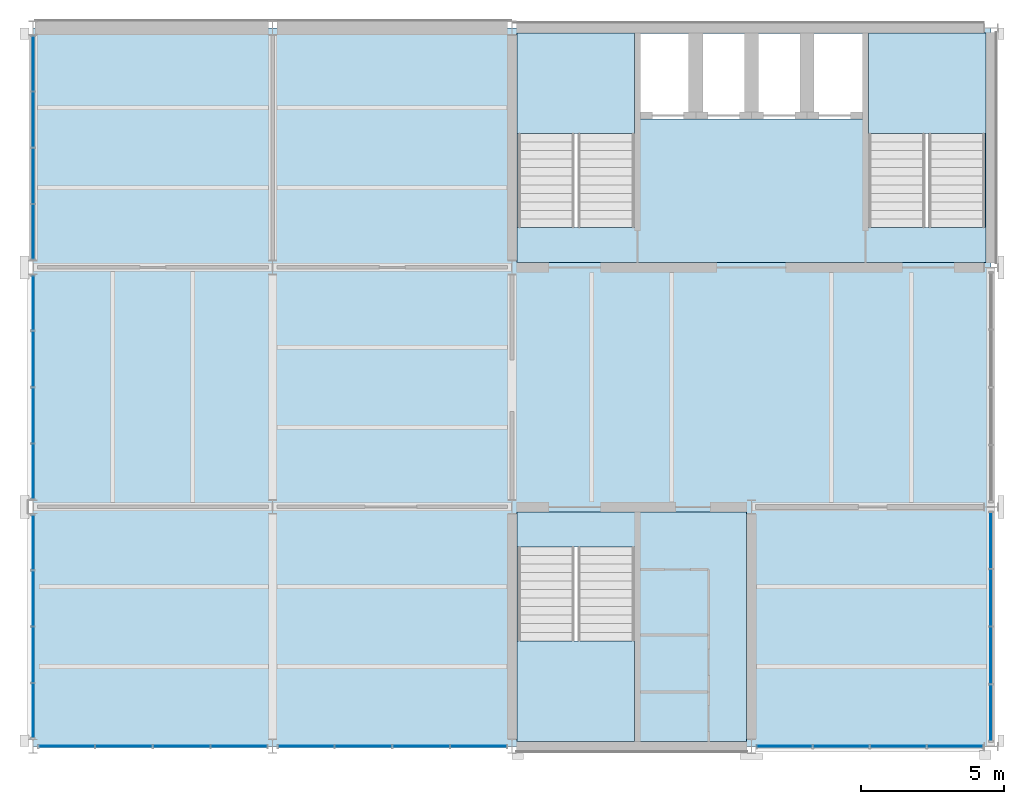
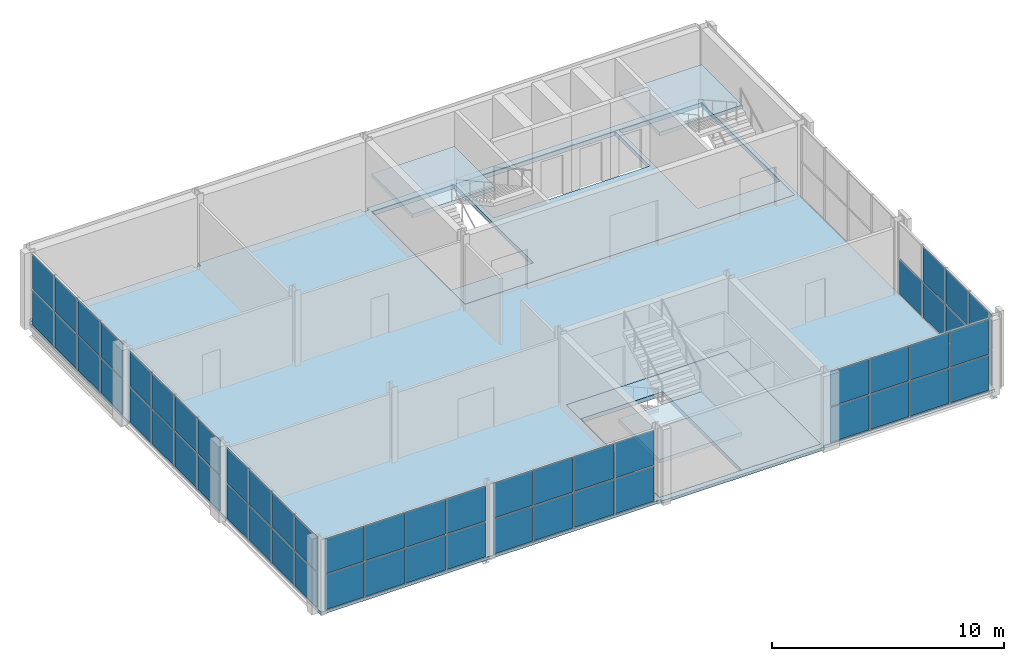
# One storey, part 7 of 12: 55 plates, 6 slabs, 10 elements without a shape of their own.
"""IFC4 building model written with IfcOpenShell, lengths in metres."""

from ifc_helpers import new_model, si_unit, direction, frame, origin, origin_2d, place, context, subcontext, project, spatial, polyline, rectangle, outline, extrude, material, layer, layer_set, type_object, element, aggregate, save


model = new_model("IFC4")

# Units and contexts
model_context = context("Model", 3, precision=1e-05, world=origin(), true_north=direction((0.0, 1.0)))
body_context = subcontext(model_context, "Body", "Model", "MODEL_VIEW")
ifc_project = project(units=[si_unit("LENGTHUNIT", "METRE"), si_unit("AREAUNIT", "SQUARE_METRE"), si_unit("VOLUMEUNIT", "CUBIC_METRE"), si_unit("PLANEANGLEUNIT", "RADIAN"), si_unit("MASSUNIT", "GRAM", prefix="KILO")], contexts=[model_context])

# Site, building, storey
site_placement = place(None, origin())
site = spatial("IfcSite", under=ifc_project, at=site_placement, CompositionType="ELEMENT")
building_placement = place(site_placement, origin())
building = spatial("IfcBuilding", under=site, at=building_placement, Name="Galleria Vessillo Department Store", CompositionType="ELEMENT")
storey_placement = place(building_placement, frame((0.0, 0.0, 35.60009765625)))
storey = spatial("IfcBuildingStorey", under=building, at=storey_placement, Name="L07", CompositionType="ELEMENT", Elevation=35.60009765625)

# Slab
ifc_material_1 = material(Name="Concrete C32/40 composite on steel deck", Category="concrete")
ifc_layer_1 = layer(ifc_material_1, 0.14990234375)
ifc_layer_set_1 = layer_set([ifc_layer_1], Name="Concrete C32/40 composite on steel deck")
slab_type_1 = type_object("IfcSlabType", Name="Composite floor slab 150 mm", PredefinedType="FLOOR", material=ifc_layer_set_1)
slab_1_placement = place(storey_placement, frame((0.0, 0.0, -0.14990234375)))
element("IfcSlab", 1, at=slab_1_placement, inside=storey, type_object=slab_type_1, Name="S-SLAB-L07-FLOOR", PredefinedType="FLOOR", context=body_context, shape_type="SweptSolid", body=[
    extrude(outline(polyline([(100.95068359375, 37.800048828125), (84.0, 37.800048828125), (84.0, 63.0), (84.150634765625, 63.0), (84.150634765625, 63.22509765625), (92.249267578125, 63.22509765625), (92.249267578125, 63.0), (92.550537109375, 63.0), (92.550537109375, 63.22509765625), (100.6494140625, 63.22509765625), (100.6494140625, 63.0), (100.95068359375, 63.0), (100.95068359375, 63.17431640625), (117.349609375, 63.17431640625), (117.349609375, 63.0), (117.60009765625, 63.0), (117.60009765625, 37.800048828125), (109.04931640625, 37.800048828125), (109.04931640625, 37.699951171875), (100.95068359375, 37.699951171875), (100.95068359375, 37.800048828125)]), holes=[polyline([(109.02490234375, 37.97509765625), (109.02490234375, 46.02490234375), (100.97509765625, 46.02490234375), (100.97509765625, 37.97509765625), (109.02490234375, 37.97509765625)]), polyline([(117.425048828125, 54.775146484375), (117.425048828125, 62.824951171875), (100.97509765625, 62.824951171875), (100.97509765625, 54.775146484375), (117.425048828125, 54.775146484375)])]), origin(), (0.0, 0.0, 1.0), 0.14990234375),
])

# Curtain wall, plates
ifc_material_2 = material(Name="Aluminium and glass curtain wall", Category="aluminium")
ifc_layer_2 = layer(ifc_material_2, 0.159912109375)
ifc_layer_set_2 = layer_set([ifc_layer_2], Name="Aluminium and glass curtain wall")
curtain_wall_type = type_object("IfcCurtainWallType", Name="Tower curtain wall CW4 2100 module", PredefinedType="NOTDEFINED", material=ifc_layer_set_2)
curtain_wall_1_placement = place(storey_placement, origin())
curtain_wall_1 = element("IfcCurtainWall", 2, at=curtain_wall_1_placement, inside=storey, type_object=curtain_wall_type, Name="Tower curtain wall CW4 2100 module TW-L07-01", PredefinedType="NOTDEFINED")
ifc_material_3 = material(Name="Glass laminated 44.2 low-e", Category="glass")
ifc_layer_3 = layer(ifc_material_3, 0.028076171875)
ifc_layer_set_3 = layer_set([ifc_layer_3], Name="Glass laminated 44.2 low-e")
plate_type_1 = type_object("IfcPlateType", Name="Laminated glass panel 28 mm", PredefinedType="CURTAIN_PANEL", material=ifc_layer_set_3)
plate_1_placement = place(storey_placement, frame((84.0, 39.052490234375, 1.955078125), z_axis=(0.0, 0.0, 1.0), x_axis=(0.0, 1.0, 0.0)))
plate_1 = element("IfcPlate", 3, at=plate_1_placement, type_object=plate_type_1, Name="CW4 panel 1.2", PredefinedType="CURTAIN_PANEL", context=body_context, shape_type="SweptSolid", body=[
    extrude(rectangle(XDim=1.885009765625, YDim=0.028076171875, at=origin_2d()), origin(), (0.0, 0.0, 1.0), 1.835205078125),
])
plate_2_placement = place(storey_placement, frame((84.0, 41.012451171875, 1.955078125), z_axis=(0.0, 0.0, 1.0), x_axis=(0.0, 1.0, 0.0)))
plate_2 = element("IfcPlate", 4, at=plate_2_placement, type_object=plate_type_1, Name="CW4 panel 2.2", PredefinedType="CURTAIN_PANEL", context=body_context, shape_type="SweptSolid", body=[
    extrude(rectangle(XDim=1.9150390625, YDim=0.028076171875, at=origin_2d()), origin(), (0.0, 0.0, 1.0), 1.835205078125),
])
plate_3_placement = place(storey_placement, frame((84.0, 42.987548828125, 1.955078125), z_axis=(0.0, 0.0, 1.0), x_axis=(0.0, 1.0, 0.0)))
plate_3 = element("IfcPlate", 5, at=plate_3_placement, type_object=plate_type_1, Name="CW4 panel 3.2", PredefinedType="CURTAIN_PANEL", context=body_context, shape_type="SweptSolid", body=[
    extrude(rectangle(XDim=1.9150390625, YDim=0.028076171875, at=origin_2d()), origin(), (0.0, 0.0, 1.0), 1.835205078125),
])
plate_4_placement = place(storey_placement, frame((84.0, 44.947509765625, 1.955078125), z_axis=(0.0, 0.0, 1.0), x_axis=(0.0, 1.0, 0.0)))
plate_4 = element("IfcPlate", 6, at=plate_4_placement, type_object=plate_type_1, Name="CW4 panel 4.2", PredefinedType="CURTAIN_PANEL", context=body_context, shape_type="SweptSolid", body=[
    extrude(rectangle(XDim=1.885009765625, YDim=0.028076171875, at=origin_2d()), origin(), (0.0, 0.0, 1.0), 1.835205078125),
])

curtain_wall_2_placement = place(storey_placement, origin())
curtain_wall_2 = element("IfcCurtainWall", 7, at=curtain_wall_2_placement, inside=storey, type_object=curtain_wall_type, Name="Tower curtain wall CW4 2100 module TW-L07-02", PredefinedType="NOTDEFINED")
plate_5_placement = place(storey_placement, frame((84.0, 47.452392578125, 1.955078125), z_axis=(0.0, 0.0, 1.0), x_axis=(0.0, 1.0, 0.0)))
plate_5 = element("IfcPlate", 8, at=plate_5_placement, type_object=plate_type_1, Name="CW4 panel 1.2", PredefinedType="CURTAIN_PANEL", context=body_context, shape_type="SweptSolid", body=[
    extrude(rectangle(XDim=1.885009765625, YDim=0.028076171875, at=origin_2d()), origin(), (0.0, 0.0, 1.0), 1.835205078125),
])
plate_6_placement = place(storey_placement, frame((84.0, 49.41259765625, 1.955078125), z_axis=(0.0, 0.0, 1.0), x_axis=(0.0, 1.0, 0.0)))
plate_6 = element("IfcPlate", 9, at=plate_6_placement, type_object=plate_type_1, Name="CW4 panel 2.2", PredefinedType="CURTAIN_PANEL", context=body_context, shape_type="SweptSolid", body=[
    extrude(rectangle(XDim=1.9150390625, YDim=0.028076171875, at=origin_2d()), origin(), (0.0, 0.0, 1.0), 1.835205078125),
])
plate_7_placement = place(storey_placement, frame((84.0, 51.387451171875, 1.955078125), z_axis=(0.0, 0.0, 1.0), x_axis=(0.0, 1.0, 0.0)))
plate_7 = element("IfcPlate", 10, at=plate_7_placement, type_object=plate_type_1, Name="CW4 panel 3.2", PredefinedType="CURTAIN_PANEL", context=body_context, shape_type="SweptSolid", body=[
    extrude(rectangle(XDim=1.9150390625, YDim=0.028076171875, at=origin_2d()), origin(), (0.0, 0.0, 1.0), 1.835205078125),
])
plate_8_placement = place(storey_placement, frame((84.0, 53.34765625, 1.955078125), z_axis=(0.0, 0.0, 1.0), x_axis=(0.0, 1.0, 0.0)))
plate_8 = element("IfcPlate", 11, at=plate_8_placement, type_object=plate_type_1, Name="CW4 panel 4.2", PredefinedType="CURTAIN_PANEL", context=body_context, shape_type="SweptSolid", body=[
    extrude(rectangle(XDim=1.885009765625, YDim=0.028076171875, at=origin_2d()), origin(), (0.0, 0.0, 1.0), 1.835205078125),
])

curtain_wall_3_placement = place(storey_placement, origin())
curtain_wall_3 = element("IfcCurtainWall", 12, at=curtain_wall_3_placement, inside=storey, type_object=curtain_wall_type, Name="Tower curtain wall CW4 2100 module TW-L07-03", PredefinedType="NOTDEFINED")
plate_9_placement = place(storey_placement, frame((84.0, 55.8525390625, 1.955078125), z_axis=(0.0, 0.0, 1.0), x_axis=(0.0, 1.0, 0.0)))
plate_9 = element("IfcPlate", 13, at=plate_9_placement, type_object=plate_type_1, Name="CW4 panel 1.2", PredefinedType="CURTAIN_PANEL", context=body_context, shape_type="SweptSolid", body=[
    extrude(rectangle(XDim=1.885009765625, YDim=0.028076171875, at=origin_2d()), origin(), (0.0, 0.0, 1.0), 1.835205078125),
])
plate_10_placement = place(storey_placement, frame((84.0, 57.8125, 1.955078125), z_axis=(0.0, 0.0, 1.0), x_axis=(0.0, 1.0, 0.0)))
plate_10 = element("IfcPlate", 14, at=plate_10_placement, type_object=plate_type_1, Name="CW4 panel 2.2", PredefinedType="CURTAIN_PANEL", context=body_context, shape_type="SweptSolid", body=[
    extrude(rectangle(XDim=1.9150390625, YDim=0.028076171875, at=origin_2d()), origin(), (0.0, 0.0, 1.0), 1.835205078125),
])
plate_11_placement = place(storey_placement, frame((84.0, 59.78759765625, 1.955078125), z_axis=(0.0, 0.0, 1.0), x_axis=(0.0, 1.0, 0.0)))
plate_11 = element("IfcPlate", 15, at=plate_11_placement, type_object=plate_type_1, Name="CW4 panel 3.2", PredefinedType="CURTAIN_PANEL", context=body_context, shape_type="SweptSolid", body=[
    extrude(rectangle(XDim=1.9150390625, YDim=0.028076171875, at=origin_2d()), origin(), (0.0, 0.0, 1.0), 1.835205078125),
])
plate_12_placement = place(storey_placement, frame((84.0, 61.74755859375, 1.955078125), z_axis=(0.0, 0.0, 1.0), x_axis=(0.0, 1.0, 0.0)))
plate_12 = element("IfcPlate", 16, at=plate_12_placement, type_object=plate_type_1, Name="CW4 panel 4.2", PredefinedType="CURTAIN_PANEL", context=body_context, shape_type="SweptSolid", body=[
    extrude(rectangle(XDim=1.885009765625, YDim=0.028076171875, at=origin_2d()), origin(), (0.0, 0.0, 1.0), 1.835205078125),
])

curtain_wall_4_placement = place(storey_placement, origin())
curtain_wall_4 = element("IfcCurtainWall", 17, at=curtain_wall_4_placement, inside=storey, type_object=curtain_wall_type, Name="Tower curtain wall CW4 2100 module TS-L07-01", PredefinedType="NOTDEFINED")
plate_13_placement = place(storey_placement, frame((85.177490234375, 37.800048828125, 1.955078125), z_axis=(0.0, 0.0, 1.0), x_axis=(1.0, 0.0, 0.0)))
plate_13 = element("IfcPlate", 18, at=plate_13_placement, type_object=plate_type_1, Name="CW4 panel 1.2", PredefinedType="CURTAIN_PANEL", context=body_context, shape_type="SweptSolid", body=[
    extrude(rectangle(XDim=1.93505859375, YDim=0.028076171875, at=origin_2d()), origin(), (0.0, 0.0, 1.0), 1.835205078125),
])
plate_14_placement = place(storey_placement, frame((87.1875, 37.800048828125, 1.955078125), z_axis=(0.0, 0.0, 1.0), x_axis=(1.0, 0.0, 0.0)))
plate_14 = element("IfcPlate", 19, at=plate_14_placement, type_object=plate_type_1, Name="CW4 panel 2.2", PredefinedType="CURTAIN_PANEL", context=body_context, shape_type="SweptSolid", body=[
    extrude(rectangle(XDim=1.965087890625, YDim=0.028076171875, at=origin_2d()), origin(), (0.0, 0.0, 1.0), 1.835205078125),
])
plate_15_placement = place(storey_placement, frame((89.21240234375, 37.800048828125, 1.955078125), z_axis=(0.0, 0.0, 1.0), x_axis=(1.0, 0.0, 0.0)))
plate_15 = element("IfcPlate", 20, at=plate_15_placement, type_object=plate_type_1, Name="CW4 panel 3.2", PredefinedType="CURTAIN_PANEL", context=body_context, shape_type="SweptSolid", body=[
    extrude(rectangle(XDim=1.965087890625, YDim=0.028076171875, at=origin_2d()), origin(), (0.0, 0.0, 1.0), 1.835205078125),
])
plate_16_placement = place(storey_placement, frame((91.222412109375, 37.800048828125, 1.955078125), z_axis=(0.0, 0.0, 1.0), x_axis=(1.0, 0.0, 0.0)))
plate_16 = element("IfcPlate", 21, at=plate_16_placement, type_object=plate_type_1, Name="CW4 panel 4.2", PredefinedType="CURTAIN_PANEL", context=body_context, shape_type="SweptSolid", body=[
    extrude(rectangle(XDim=1.93505859375, YDim=0.028076171875, at=origin_2d()), origin(), (0.0, 0.0, 1.0), 1.835205078125),
])

curtain_wall_5_placement = place(storey_placement, origin())
curtain_wall_5 = element("IfcCurtainWall", 22, at=curtain_wall_5_placement, inside=storey, type_object=curtain_wall_type, Name="Tower curtain wall CW4 2100 module TS-L07-02", PredefinedType="NOTDEFINED")
plate_17_placement = place(storey_placement, frame((93.577392578125, 37.800048828125, 1.955078125), z_axis=(0.0, 0.0, 1.0), x_axis=(1.0, 0.0, 0.0)))
plate_17 = element("IfcPlate", 23, at=plate_17_placement, type_object=plate_type_1, Name="CW4 panel 1.2", PredefinedType="CURTAIN_PANEL", context=body_context, shape_type="SweptSolid", body=[
    extrude(rectangle(XDim=1.93505859375, YDim=0.028076171875, at=origin_2d()), origin(), (0.0, 0.0, 1.0), 1.835205078125),
])
plate_18_placement = place(storey_placement, frame((95.58740234375, 37.800048828125, 1.955078125), z_axis=(0.0, 0.0, 1.0), x_axis=(1.0, 0.0, 0.0)))
plate_18 = element("IfcPlate", 24, at=plate_18_placement, type_object=plate_type_1, Name="CW4 panel 2.2", PredefinedType="CURTAIN_PANEL", context=body_context, shape_type="SweptSolid", body=[
    extrude(rectangle(XDim=1.965087890625, YDim=0.028076171875, at=origin_2d()), origin(), (0.0, 0.0, 1.0), 1.835205078125),
])
plate_19_placement = place(storey_placement, frame((97.612548828125, 37.800048828125, 1.955078125), z_axis=(0.0, 0.0, 1.0), x_axis=(1.0, 0.0, 0.0)))
plate_19 = element("IfcPlate", 25, at=plate_19_placement, type_object=plate_type_1, Name="CW4 panel 3.2", PredefinedType="CURTAIN_PANEL", context=body_context, shape_type="SweptSolid", body=[
    extrude(rectangle(XDim=1.965087890625, YDim=0.028076171875, at=origin_2d()), origin(), (0.0, 0.0, 1.0), 1.835205078125),
])
plate_20_placement = place(storey_placement, frame((99.62255859375, 37.800048828125, 1.955078125), z_axis=(0.0, 0.0, 1.0), x_axis=(1.0, 0.0, 0.0)))
plate_20 = element("IfcPlate", 26, at=plate_20_placement, type_object=plate_type_1, Name="CW4 panel 4.2", PredefinedType="CURTAIN_PANEL", context=body_context, shape_type="SweptSolid", body=[
    extrude(rectangle(XDim=1.93505859375, YDim=0.028076171875, at=origin_2d()), origin(), (0.0, 0.0, 1.0), 1.835205078125),
])

curtain_wall_6_placement = place(storey_placement, origin())
curtain_wall_6 = element("IfcCurtainWall", 27, at=curtain_wall_6_placement, inside=storey, type_object=curtain_wall_type, Name="Tower curtain wall CW4 2100 module TS-L07-03", PredefinedType="NOTDEFINED")
plate_21_placement = place(storey_placement, frame((110.364990234375, 37.800048828125, 1.955078125), z_axis=(0.0, 0.0, 1.0), x_axis=(1.0, 0.0, 0.0)))
plate_21 = element("IfcPlate", 28, at=plate_21_placement, type_object=plate_type_1, Name="CW4 panel 1.2", PredefinedType="CURTAIN_PANEL", context=body_context, shape_type="SweptSolid", body=[
    extrude(rectangle(XDim=1.91015625, YDim=0.028076171875, at=origin_2d()), origin(), (0.0, 0.0, 1.0), 1.835205078125),
])
plate_22_placement = place(storey_placement, frame((112.349853515625, 37.800048828125, 1.955078125), z_axis=(0.0, 0.0, 1.0), x_axis=(1.0, 0.0, 0.0)))
plate_22 = element("IfcPlate", 29, at=plate_22_placement, type_object=plate_type_1, Name="CW4 panel 2.2", PredefinedType="CURTAIN_PANEL", context=body_context, shape_type="SweptSolid", body=[
    extrude(rectangle(XDim=1.93994140625, YDim=0.028076171875, at=origin_2d()), origin(), (0.0, 0.0, 1.0), 1.835205078125),
])
plate_23_placement = place(storey_placement, frame((114.35009765625, 37.800048828125, 1.955078125), z_axis=(0.0, 0.0, 1.0), x_axis=(1.0, 0.0, 0.0)))
plate_23 = element("IfcPlate", 30, at=plate_23_placement, type_object=plate_type_1, Name="CW4 panel 3.2", PredefinedType="CURTAIN_PANEL", context=body_context, shape_type="SweptSolid", body=[
    extrude(rectangle(XDim=1.93994140625, YDim=0.028076171875, at=origin_2d()), origin(), (0.0, 0.0, 1.0), 1.835205078125),
])
plate_24_placement = place(storey_placement, frame((116.3349609375, 37.800048828125, 1.955078125), z_axis=(0.0, 0.0, 1.0), x_axis=(1.0, 0.0, 0.0)))
plate_24 = element("IfcPlate", 31, at=plate_24_placement, type_object=plate_type_1, Name="CW4 panel 4.2", PredefinedType="CURTAIN_PANEL", context=body_context, shape_type="SweptSolid", body=[
    extrude(rectangle(XDim=1.91015625, YDim=0.028076171875, at=origin_2d()), origin(), (0.0, 0.0, 1.0), 1.835205078125),
])

curtain_wall_7_placement = place(storey_placement, origin())
curtain_wall_7 = element("IfcCurtainWall", 32, at=curtain_wall_7_placement, inside=storey, type_object=curtain_wall_type, Name="Tower curtain wall CW4 2100 module TE-L07-01", PredefinedType="NOTDEFINED")
plate_25_placement = place(storey_placement, frame((117.60009765625, 38.9775390625, 1.955078125), z_axis=(0.0, 0.0, 1.0), x_axis=(0.0, 1.0, 0.0)))
plate_25 = element("IfcPlate", 33, at=plate_25_placement, type_object=plate_type_1, Name="CW4 panel 1.2", PredefinedType="CURTAIN_PANEL", context=body_context, shape_type="SweptSolid", body=[
    extrude(rectangle(XDim=1.93505859375, YDim=0.028076171875, at=origin_2d()), origin(), (0.0, 0.0, 1.0), 1.835205078125),
])
plate_26_placement = place(storey_placement, frame((117.60009765625, 40.987548828125, 1.955078125), z_axis=(0.0, 0.0, 1.0), x_axis=(0.0, 1.0, 0.0)))
plate_26 = element("IfcPlate", 34, at=plate_26_placement, type_object=plate_type_1, Name="CW4 panel 2.2", PredefinedType="CURTAIN_PANEL", context=body_context, shape_type="SweptSolid", body=[
    extrude(rectangle(XDim=1.965087890625, YDim=0.028076171875, at=origin_2d()), origin(), (0.0, 0.0, 1.0), 1.835205078125),
])
plate_27_placement = place(storey_placement, frame((117.60009765625, 43.012451171875, 1.955078125), z_axis=(0.0, 0.0, 1.0), x_axis=(0.0, 1.0, 0.0)))
plate_27 = element("IfcPlate", 35, at=plate_27_placement, type_object=plate_type_1, Name="CW4 panel 3.2", PredefinedType="CURTAIN_PANEL", context=body_context, shape_type="SweptSolid", body=[
    extrude(rectangle(XDim=1.965087890625, YDim=0.028076171875, at=origin_2d()), origin(), (0.0, 0.0, 1.0), 1.835205078125),
])

# Slabs
ifc_material_4 = material(Name="Concrete C32/40 reinforced", Category="concrete")
ifc_layer_4 = layer(ifc_material_4, 0.219970703125)
ifc_layer_set_4 = layer_set([ifc_layer_4], Name="Concrete C32/40 reinforced")
slab_type_2 = type_object("IfcSlabType", Name="Reinforced concrete core floor slab 220 mm", PredefinedType="FLOOR", material=ifc_layer_set_4)
slab_2_placement = place(storey_placement, frame((0.0, 0.0, -0.219970703125)))
element("IfcSlab", 36, at=slab_2_placement, inside=storey, type_object=slab_type_2, Name="S-SLAB-L07-CORE-TC", PredefinedType="FLOOR", context=body_context, shape_type="SweptSolid", body=[
    extrude(outline(polyline([(100.97509765625, 54.775146484375), (100.97509765625, 62.824951171875), (117.425048828125, 62.824951171875), (117.425048828125, 54.775146484375), (100.97509765625, 54.775146484375)]), holes=[polyline([(105.10009765625, 56.0), (105.10009765625, 62.800048828125), (101.0, 62.800048828125), (101.0, 56.0), (105.10009765625, 56.0)]), polyline([(113.300048828125, 56.0), (117.39990234375, 56.0), (117.39990234375, 62.800048828125), (113.300048828125, 62.800048828125), (113.300048828125, 56.0)]), polyline([(105.300048828125, 59.800048828125), (113.10009765625, 59.800048828125), (113.10009765625, 62.800048828125), (105.300048828125, 62.800048828125), (105.300048828125, 59.800048828125)])]), origin(), (0.0, 0.0, 1.0), 0.219970703125),
])
slab_3_placement = place(storey_placement, frame((0.0, 0.0, -0.219970703125)))
element("IfcSlab", 37, at=slab_3_placement, inside=storey, type_object=slab_type_2, Name="S-SLAB-L07-CORE-TS", PredefinedType="FLOOR", context=body_context, shape_type="SweptSolid", body=[
    extrude(outline(polyline([(100.97509765625, 37.97509765625), (100.97509765625, 46.02490234375), (109.02490234375, 46.02490234375), (109.02490234375, 37.97509765625), (100.97509765625, 37.97509765625)]), holes=[polyline([(105.10009765625, 44.800048828125), (101.0, 44.800048828125), (101.0, 38.0), (105.10009765625, 38.0), (105.10009765625, 44.800048828125)])]), origin(), (0.0, 0.0, 1.0), 0.219970703125),
])

# Stair, slab
ifc_material_5 = material(Name="Concrete C32/40", Category="concrete")
stair_type = type_object("IfcStairType", Name="Half-turn escape stair 2000 mm, 24 risers of 167 mm", PredefinedType="HALF_TURN_STAIR", material=ifc_material_5)
stair_1_placement = place(storey_placement, origin())
stair_1 = element("IfcStair", 38, at=stair_1_placement, inside=storey, type_object=stair_type, Name="Stair ST8 L07", PredefinedType="HALF_TURN_STAIR")
ifc_material_6 = material(Name="Concrete C32/40", Category="concrete")
ifc_layer_5 = layer(ifc_material_6, 0.199951171875)
ifc_layer_set_5 = layer_set([ifc_layer_5], Name="Concrete C32/40")
slab_type_3 = type_object("IfcSlabType", Name="Stair half landing 4125 x 3525 mm", PredefinedType="LANDING", material=ifc_layer_set_5)
slab_4_placement = place(storey_placement, frame((0.0, 0.0, 1.800048828125)))
slab_4 = element("IfcSlab", 39, at=slab_4_placement, type_object=slab_type_3, Name="ST8 landing 1", PredefinedType="LANDING", context=body_context, shape_type="SweptSolid", body=[
    extrude(outline(polyline([(100.97509765625, 59.300048828125), (100.97509765625, 62.824951171875), (105.10009765625, 62.824951171875), (105.10009765625, 59.300048828125), (100.97509765625, 59.300048828125)])), origin(), (0.0, 0.0, 1.0), 0.199951171875),
])
aggregate(stair_1, [slab_4])

stair_2_placement = place(storey_placement, origin())
stair_2 = element("IfcStair", 40, at=stair_2_placement, inside=storey, type_object=stair_type, Name="Stair ST9 L07", PredefinedType="HALF_TURN_STAIR")
slab_5_placement = place(storey_placement, frame((0.0, 0.0, 1.800048828125)))
slab_5 = element("IfcSlab", 41, at=slab_5_placement, type_object=slab_type_3, Name="ST9 landing 1", PredefinedType="LANDING", context=body_context, shape_type="SweptSolid", body=[
    extrude(outline(polyline([(113.300048828125, 59.300048828125), (113.300048828125, 62.824951171875), (117.425048828125, 62.824951171875), (117.425048828125, 59.300048828125), (113.300048828125, 59.300048828125)])), origin(), (0.0, 0.0, 1.0), 0.199951171875),
])
aggregate(stair_2, [slab_5])

stair_3_placement = place(storey_placement, origin())
stair_3 = element("IfcStair", 42, at=stair_3_placement, inside=storey, type_object=stair_type, Name="Stair ST12 L07", PredefinedType="HALF_TURN_STAIR")
slab_6_placement = place(storey_placement, frame((0.0, 0.0, 1.800048828125)))
slab_6 = element("IfcSlab", 43, at=slab_6_placement, type_object=slab_type_3, Name="ST12 landing 1", PredefinedType="LANDING", context=body_context, shape_type="SweptSolid", body=[
    extrude(outline(polyline([(100.97509765625, 37.97509765625), (100.97509765625, 41.5), (105.10009765625, 41.5), (105.10009765625, 37.97509765625), (100.97509765625, 37.97509765625)])), origin(), (0.0, 0.0, 1.0), 0.199951171875),
])
aggregate(stair_3, [slab_6])

# Plate
ifc_material_7 = material(Name="Limestone spandrel on aluminium tray", Category="masonry")
ifc_layer_6 = layer(ifc_material_7, 0.028076171875)
ifc_layer_set_6 = layer_set([ifc_layer_6], Name="Limestone spandrel on aluminium tray")
plate_type_2 = type_object("IfcPlateType", Name="Stone spandrel panel 28 mm", PredefinedType="CURTAIN_PANEL", material=ifc_layer_set_6)
plate_28_placement = place(storey_placement, frame((84.0, 39.052490234375, 0.06005859375), z_axis=(0.0, 0.0, 1.0), x_axis=(0.0, 1.0, 0.0)))
plate_28 = element("IfcPlate", 44, at=plate_28_placement, type_object=plate_type_2, Name="CW4 panel 1.1", PredefinedType="CURTAIN_PANEL", context=body_context, shape_type="SweptSolid", body=[
    extrude(rectangle(XDim=1.885009765625, YDim=0.028076171875, at=origin_2d()), origin(), (0.0, 0.0, 1.0), 1.8349609375),
])

plate_29_placement = place(storey_placement, frame((84.0, 41.012451171875, 0.06005859375), z_axis=(0.0, 0.0, 1.0), x_axis=(0.0, 1.0, 0.0)))
plate_29 = element("IfcPlate", 45, at=plate_29_placement, type_object=plate_type_2, Name="CW4 panel 2.1", PredefinedType="CURTAIN_PANEL", context=body_context, shape_type="SweptSolid", body=[
    extrude(rectangle(XDim=1.9150390625, YDim=0.028076171875, at=origin_2d()), origin(), (0.0, 0.0, 1.0), 1.8349609375),
])

plate_30_placement = place(storey_placement, frame((84.0, 42.987548828125, 0.06005859375), z_axis=(0.0, 0.0, 1.0), x_axis=(0.0, 1.0, 0.0)))
plate_30 = element("IfcPlate", 46, at=plate_30_placement, type_object=plate_type_2, Name="CW4 panel 3.1", PredefinedType="CURTAIN_PANEL", context=body_context, shape_type="SweptSolid", body=[
    extrude(rectangle(XDim=1.9150390625, YDim=0.028076171875, at=origin_2d()), origin(), (0.0, 0.0, 1.0), 1.8349609375),
])

plate_31_placement = place(storey_placement, frame((84.0, 44.947509765625, 0.06005859375), z_axis=(0.0, 0.0, 1.0), x_axis=(0.0, 1.0, 0.0)))
plate_31 = element("IfcPlate", 47, at=plate_31_placement, type_object=plate_type_2, Name="CW4 panel 4.1", PredefinedType="CURTAIN_PANEL", context=body_context, shape_type="SweptSolid", body=[
    extrude(rectangle(XDim=1.885009765625, YDim=0.028076171875, at=origin_2d()), origin(), (0.0, 0.0, 1.0), 1.8349609375),
])

aggregate(curtain_wall_1, [plate_28, plate_1, plate_29, plate_2, plate_30, plate_3, plate_31, plate_4])

plate_32_placement = place(storey_placement, frame((84.0, 47.452392578125, 0.06005859375), z_axis=(0.0, 0.0, 1.0), x_axis=(0.0, 1.0, 0.0)))
plate_32 = element("IfcPlate", 48, at=plate_32_placement, type_object=plate_type_2, Name="CW4 panel 1.1", PredefinedType="CURTAIN_PANEL", context=body_context, shape_type="SweptSolid", body=[
    extrude(rectangle(XDim=1.885009765625, YDim=0.028076171875, at=origin_2d()), origin(), (0.0, 0.0, 1.0), 1.8349609375),
])

plate_33_placement = place(storey_placement, frame((84.0, 49.41259765625, 0.06005859375), z_axis=(0.0, 0.0, 1.0), x_axis=(0.0, 1.0, 0.0)))
plate_33 = element("IfcPlate", 49, at=plate_33_placement, type_object=plate_type_2, Name="CW4 panel 2.1", PredefinedType="CURTAIN_PANEL", context=body_context, shape_type="SweptSolid", body=[
    extrude(rectangle(XDim=1.9150390625, YDim=0.028076171875, at=origin_2d()), origin(), (0.0, 0.0, 1.0), 1.8349609375),
])

plate_34_placement = place(storey_placement, frame((84.0, 51.387451171875, 0.06005859375), z_axis=(0.0, 0.0, 1.0), x_axis=(0.0, 1.0, 0.0)))
plate_34 = element("IfcPlate", 50, at=plate_34_placement, type_object=plate_type_2, Name="CW4 panel 3.1", PredefinedType="CURTAIN_PANEL", context=body_context, shape_type="SweptSolid", body=[
    extrude(rectangle(XDim=1.9150390625, YDim=0.028076171875, at=origin_2d()), origin(), (0.0, 0.0, 1.0), 1.8349609375),
])

plate_35_placement = place(storey_placement, frame((84.0, 53.34765625, 0.06005859375), z_axis=(0.0, 0.0, 1.0), x_axis=(0.0, 1.0, 0.0)))
plate_35 = element("IfcPlate", 51, at=plate_35_placement, type_object=plate_type_2, Name="CW4 panel 4.1", PredefinedType="CURTAIN_PANEL", context=body_context, shape_type="SweptSolid", body=[
    extrude(rectangle(XDim=1.885009765625, YDim=0.028076171875, at=origin_2d()), origin(), (0.0, 0.0, 1.0), 1.8349609375),
])

aggregate(curtain_wall_2, [plate_32, plate_5, plate_33, plate_6, plate_34, plate_7, plate_35, plate_8])

plate_36_placement = place(storey_placement, frame((84.0, 55.8525390625, 0.06005859375), z_axis=(0.0, 0.0, 1.0), x_axis=(0.0, 1.0, 0.0)))
plate_36 = element("IfcPlate", 52, at=plate_36_placement, type_object=plate_type_2, Name="CW4 panel 1.1", PredefinedType="CURTAIN_PANEL", context=body_context, shape_type="SweptSolid", body=[
    extrude(rectangle(XDim=1.885009765625, YDim=0.028076171875, at=origin_2d()), origin(), (0.0, 0.0, 1.0), 1.8349609375),
])

plate_37_placement = place(storey_placement, frame((84.0, 57.8125, 0.06005859375), z_axis=(0.0, 0.0, 1.0), x_axis=(0.0, 1.0, 0.0)))
plate_37 = element("IfcPlate", 53, at=plate_37_placement, type_object=plate_type_2, Name="CW4 panel 2.1", PredefinedType="CURTAIN_PANEL", context=body_context, shape_type="SweptSolid", body=[
    extrude(rectangle(XDim=1.9150390625, YDim=0.028076171875, at=origin_2d()), origin(), (0.0, 0.0, 1.0), 1.8349609375),
])

plate_38_placement = place(storey_placement, frame((84.0, 59.78759765625, 0.06005859375), z_axis=(0.0, 0.0, 1.0), x_axis=(0.0, 1.0, 0.0)))
plate_38 = element("IfcPlate", 54, at=plate_38_placement, type_object=plate_type_2, Name="CW4 panel 3.1", PredefinedType="CURTAIN_PANEL", context=body_context, shape_type="SweptSolid", body=[
    extrude(rectangle(XDim=1.9150390625, YDim=0.028076171875, at=origin_2d()), origin(), (0.0, 0.0, 1.0), 1.8349609375),
])

plate_39_placement = place(storey_placement, frame((84.0, 61.74755859375, 0.06005859375), z_axis=(0.0, 0.0, 1.0), x_axis=(0.0, 1.0, 0.0)))
plate_39 = element("IfcPlate", 55, at=plate_39_placement, type_object=plate_type_2, Name="CW4 panel 4.1", PredefinedType="CURTAIN_PANEL", context=body_context, shape_type="SweptSolid", body=[
    extrude(rectangle(XDim=1.885009765625, YDim=0.028076171875, at=origin_2d()), origin(), (0.0, 0.0, 1.0), 1.8349609375),
])

aggregate(curtain_wall_3, [plate_36, plate_9, plate_37, plate_10, plate_38, plate_11, plate_39, plate_12])

plate_40_placement = place(storey_placement, frame((85.177490234375, 37.800048828125, 0.06005859375), z_axis=(0.0, 0.0, 1.0), x_axis=(1.0, 0.0, 0.0)))
plate_40 = element("IfcPlate", 56, at=plate_40_placement, type_object=plate_type_2, Name="CW4 panel 1.1", PredefinedType="CURTAIN_PANEL", context=body_context, shape_type="SweptSolid", body=[
    extrude(rectangle(XDim=1.93505859375, YDim=0.028076171875, at=origin_2d()), origin(), (0.0, 0.0, 1.0), 1.8349609375),
])

plate_41_placement = place(storey_placement, frame((87.1875, 37.800048828125, 0.06005859375), z_axis=(0.0, 0.0, 1.0), x_axis=(1.0, 0.0, 0.0)))
plate_41 = element("IfcPlate", 57, at=plate_41_placement, type_object=plate_type_2, Name="CW4 panel 2.1", PredefinedType="CURTAIN_PANEL", context=body_context, shape_type="SweptSolid", body=[
    extrude(rectangle(XDim=1.965087890625, YDim=0.028076171875, at=origin_2d()), origin(), (0.0, 0.0, 1.0), 1.8349609375),
])

plate_42_placement = place(storey_placement, frame((89.21240234375, 37.800048828125, 0.06005859375), z_axis=(0.0, 0.0, 1.0), x_axis=(1.0, 0.0, 0.0)))
plate_42 = element("IfcPlate", 58, at=plate_42_placement, type_object=plate_type_2, Name="CW4 panel 3.1", PredefinedType="CURTAIN_PANEL", context=body_context, shape_type="SweptSolid", body=[
    extrude(rectangle(XDim=1.965087890625, YDim=0.028076171875, at=origin_2d()), origin(), (0.0, 0.0, 1.0), 1.8349609375),
])

plate_43_placement = place(storey_placement, frame((91.222412109375, 37.800048828125, 0.06005859375), z_axis=(0.0, 0.0, 1.0), x_axis=(1.0, 0.0, 0.0)))
plate_43 = element("IfcPlate", 59, at=plate_43_placement, type_object=plate_type_2, Name="CW4 panel 4.1", PredefinedType="CURTAIN_PANEL", context=body_context, shape_type="SweptSolid", body=[
    extrude(rectangle(XDim=1.93505859375, YDim=0.028076171875, at=origin_2d()), origin(), (0.0, 0.0, 1.0), 1.8349609375),
])

aggregate(curtain_wall_4, [plate_40, plate_13, plate_41, plate_14, plate_42, plate_15, plate_43, plate_16])

plate_44_placement = place(storey_placement, frame((93.577392578125, 37.800048828125, 0.06005859375), z_axis=(0.0, 0.0, 1.0), x_axis=(1.0, 0.0, 0.0)))
plate_44 = element("IfcPlate", 60, at=plate_44_placement, type_object=plate_type_2, Name="CW4 panel 1.1", PredefinedType="CURTAIN_PANEL", context=body_context, shape_type="SweptSolid", body=[
    extrude(rectangle(XDim=1.93505859375, YDim=0.028076171875, at=origin_2d()), origin(), (0.0, 0.0, 1.0), 1.8349609375),
])

plate_45_placement = place(storey_placement, frame((95.58740234375, 37.800048828125, 0.06005859375), z_axis=(0.0, 0.0, 1.0), x_axis=(1.0, 0.0, 0.0)))
plate_45 = element("IfcPlate", 61, at=plate_45_placement, type_object=plate_type_2, Name="CW4 panel 2.1", PredefinedType="CURTAIN_PANEL", context=body_context, shape_type="SweptSolid", body=[
    extrude(rectangle(XDim=1.965087890625, YDim=0.028076171875, at=origin_2d()), origin(), (0.0, 0.0, 1.0), 1.8349609375),
])

plate_46_placement = place(storey_placement, frame((97.612548828125, 37.800048828125, 0.06005859375), z_axis=(0.0, 0.0, 1.0), x_axis=(1.0, 0.0, 0.0)))
plate_46 = element("IfcPlate", 62, at=plate_46_placement, type_object=plate_type_2, Name="CW4 panel 3.1", PredefinedType="CURTAIN_PANEL", context=body_context, shape_type="SweptSolid", body=[
    extrude(rectangle(XDim=1.965087890625, YDim=0.028076171875, at=origin_2d()), origin(), (0.0, 0.0, 1.0), 1.8349609375),
])

plate_47_placement = place(storey_placement, frame((99.62255859375, 37.800048828125, 0.06005859375), z_axis=(0.0, 0.0, 1.0), x_axis=(1.0, 0.0, 0.0)))
plate_47 = element("IfcPlate", 63, at=plate_47_placement, type_object=plate_type_2, Name="CW4 panel 4.1", PredefinedType="CURTAIN_PANEL", context=body_context, shape_type="SweptSolid", body=[
    extrude(rectangle(XDim=1.93505859375, YDim=0.028076171875, at=origin_2d()), origin(), (0.0, 0.0, 1.0), 1.8349609375),
])

aggregate(curtain_wall_5, [plate_44, plate_17, plate_45, plate_18, plate_46, plate_19, plate_47, plate_20])

plate_48_placement = place(storey_placement, frame((110.364990234375, 37.800048828125, 0.06005859375), z_axis=(0.0, 0.0, 1.0), x_axis=(1.0, 0.0, 0.0)))
plate_48 = element("IfcPlate", 64, at=plate_48_placement, type_object=plate_type_2, Name="CW4 panel 1.1", PredefinedType="CURTAIN_PANEL", context=body_context, shape_type="SweptSolid", body=[
    extrude(rectangle(XDim=1.91015625, YDim=0.028076171875, at=origin_2d()), origin(), (0.0, 0.0, 1.0), 1.8349609375),
])

plate_49_placement = place(storey_placement, frame((112.349853515625, 37.800048828125, 0.06005859375), z_axis=(0.0, 0.0, 1.0), x_axis=(1.0, 0.0, 0.0)))
plate_49 = element("IfcPlate", 65, at=plate_49_placement, type_object=plate_type_2, Name="CW4 panel 2.1", PredefinedType="CURTAIN_PANEL", context=body_context, shape_type="SweptSolid", body=[
    extrude(rectangle(XDim=1.93994140625, YDim=0.028076171875, at=origin_2d()), origin(), (0.0, 0.0, 1.0), 1.8349609375),
])

plate_50_placement = place(storey_placement, frame((114.35009765625, 37.800048828125, 0.06005859375), z_axis=(0.0, 0.0, 1.0), x_axis=(1.0, 0.0, 0.0)))
plate_50 = element("IfcPlate", 66, at=plate_50_placement, type_object=plate_type_2, Name="CW4 panel 3.1", PredefinedType="CURTAIN_PANEL", context=body_context, shape_type="SweptSolid", body=[
    extrude(rectangle(XDim=1.93994140625, YDim=0.028076171875, at=origin_2d()), origin(), (0.0, 0.0, 1.0), 1.8349609375),
])

plate_51_placement = place(storey_placement, frame((116.3349609375, 37.800048828125, 0.06005859375), z_axis=(0.0, 0.0, 1.0), x_axis=(1.0, 0.0, 0.0)))
plate_51 = element("IfcPlate", 67, at=plate_51_placement, type_object=plate_type_2, Name="CW4 panel 4.1", PredefinedType="CURTAIN_PANEL", context=body_context, shape_type="SweptSolid", body=[
    extrude(rectangle(XDim=1.91015625, YDim=0.028076171875, at=origin_2d()), origin(), (0.0, 0.0, 1.0), 1.8349609375),
])

aggregate(curtain_wall_6, [plate_48, plate_21, plate_49, plate_22, plate_50, plate_23, plate_51, plate_24])

plate_52_placement = place(storey_placement, frame((117.60009765625, 38.9775390625, 0.06005859375), z_axis=(0.0, 0.0, 1.0), x_axis=(0.0, 1.0, 0.0)))
plate_52 = element("IfcPlate", 68, at=plate_52_placement, type_object=plate_type_2, Name="CW4 panel 1.1", PredefinedType="CURTAIN_PANEL", context=body_context, shape_type="SweptSolid", body=[
    extrude(rectangle(XDim=1.93505859375, YDim=0.028076171875, at=origin_2d()), origin(), (0.0, 0.0, 1.0), 1.8349609375),
])

plate_53_placement = place(storey_placement, frame((117.60009765625, 40.987548828125, 0.06005859375), z_axis=(0.0, 0.0, 1.0), x_axis=(0.0, 1.0, 0.0)))
plate_53 = element("IfcPlate", 69, at=plate_53_placement, type_object=plate_type_2, Name="CW4 panel 2.1", PredefinedType="CURTAIN_PANEL", context=body_context, shape_type="SweptSolid", body=[
    extrude(rectangle(XDim=1.965087890625, YDim=0.028076171875, at=origin_2d()), origin(), (0.0, 0.0, 1.0), 1.8349609375),
])

plate_54_placement = place(storey_placement, frame((117.60009765625, 43.012451171875, 0.06005859375), z_axis=(0.0, 0.0, 1.0), x_axis=(0.0, 1.0, 0.0)))
plate_54 = element("IfcPlate", 70, at=plate_54_placement, type_object=plate_type_2, Name="CW4 panel 3.1", PredefinedType="CURTAIN_PANEL", context=body_context, shape_type="SweptSolid", body=[
    extrude(rectangle(XDim=1.965087890625, YDim=0.028076171875, at=origin_2d()), origin(), (0.0, 0.0, 1.0), 1.8349609375),
])

plate_55_placement = place(storey_placement, frame((117.60009765625, 45.0224609375, 0.06005859375), z_axis=(0.0, 0.0, 1.0), x_axis=(0.0, 1.0, 0.0)))
plate_55 = element("IfcPlate", 71, at=plate_55_placement, type_object=plate_type_2, Name="CW4 panel 4.1", PredefinedType="CURTAIN_PANEL", context=body_context, shape_type="SweptSolid", body=[
    extrude(rectangle(XDim=1.93505859375, YDim=0.028076171875, at=origin_2d()), origin(), (0.0, 0.0, 1.0), 1.8349609375),
])

aggregate(curtain_wall_7, [plate_52, plate_25, plate_53, plate_26, plate_54, plate_27, plate_55])

save(model, "model.ifc")
